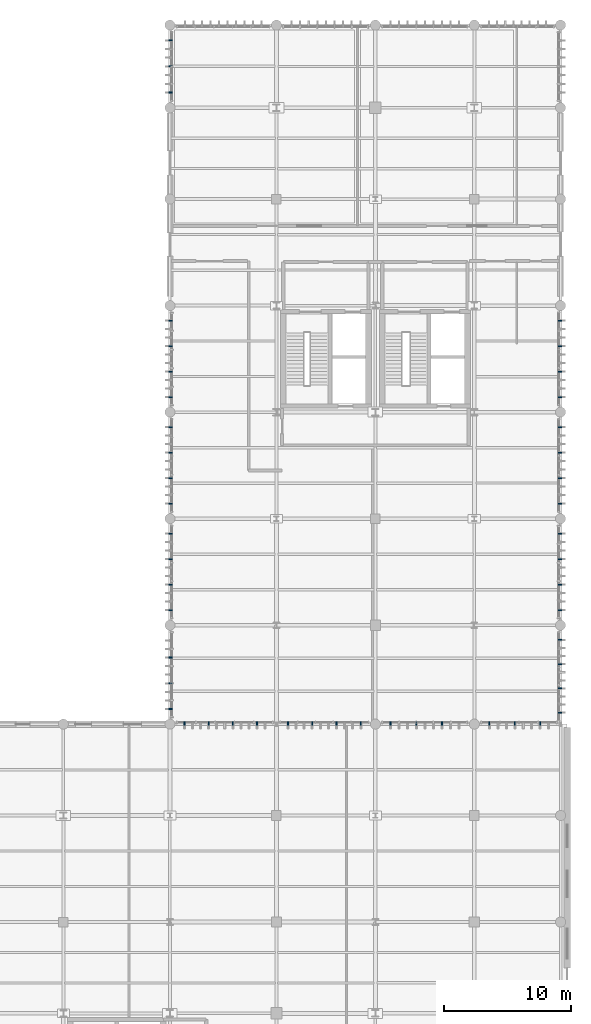
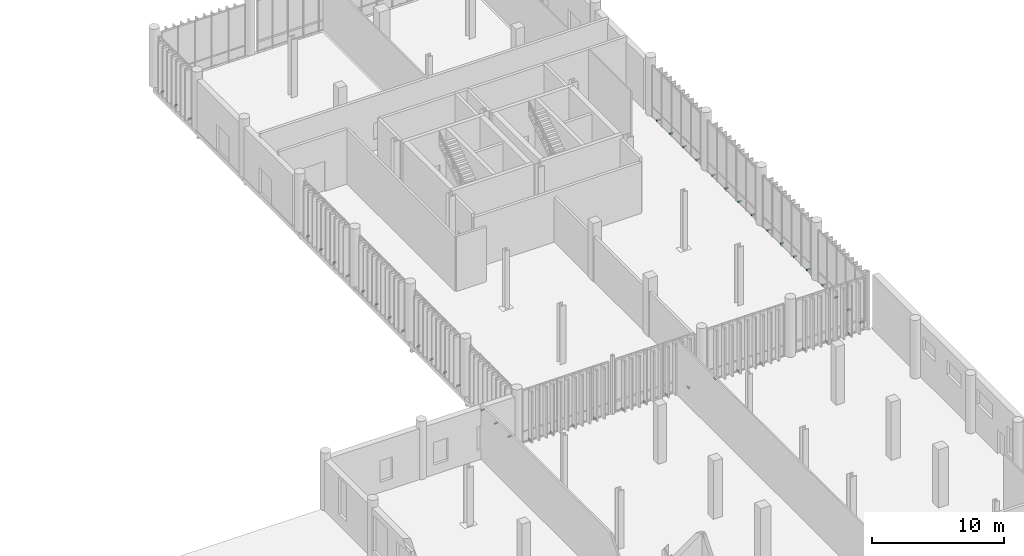
# One storey, part 100 of 112: 48 discrete accessories.
"""IFC4 building model written with IfcOpenShell, lengths in metres."""

from ifc_helpers import new_model, si_unit, direction, frame, origin_with_axes, origin_2d_with_axis, place, context, subcontext, project, spatial, rectangle, extrude, material, type_object, element, save


model = new_model("IFC4")

# Units and contexts
model_context = context("Model", 3, precision=1e-05, world=origin_with_axes(), true_north=direction((0.0, 1.0)))
body_context = subcontext(model_context, "Body", "Model", "MODEL_VIEW")
ifc_project = project(units=[si_unit("LENGTHUNIT", "METRE"), si_unit("AREAUNIT", "SQUARE_METRE"), si_unit("VOLUMEUNIT", "CUBIC_METRE"), si_unit("PLANEANGLEUNIT", "RADIAN"), si_unit("MASSUNIT", "GRAM", prefix="KILO"), si_unit("THERMODYNAMICTEMPERATUREUNIT", "KELVIN")], contexts=[model_context])

# Site, building, storey
site_placement = place(None, origin_with_axes())
site = spatial("IfcSite", under=ifc_project, at=site_placement, CompositionType="ELEMENT")
building_placement = place(site_placement, origin_with_axes())
building = spatial("IfcBuilding", under=site, at=building_placement, Name="Montbau Bow Law Courts", CompositionType="ELEMENT")
storey_placement = place(building_placement, origin_with_axes())
storey = spatial("IfcBuildingStorey", under=building, at=storey_placement, Name="L00", CompositionType="ELEMENT", Elevation=0.0)

# Discrete accessories
ifc_material = material(Name="Stainless Steel AISI 316L Outrigger Louvre Bracket", Category="steel")
discrete_accessory_type = type_object("IfcDiscreteAccessoryType", Name="DA-BRK-01", PredefinedType="BRACKET", material=ifc_material)
for number, where, z_axis, x_axis, name in (
    (1, (139.75, 61.84, 0.0), (0.0, 0.0, 1.0), (0.0, -1.0, 0.0), "BRK-L00-0863:brk_0863"),
    (2, (141.654, 61.84, 0.0), (0.0, 0.0, 1.0), (0.0, -1.0, 0.0), "BRK-L00-0864:brk_0864"),
    (3, (143.558, 61.84, 0.0), (0.0, 0.0, 1.0), (0.0, -1.0, 0.0), "BRK-L00-0865:brk_0865"),
    (4, (145.462, 61.84, 0.0), (0.0, 0.0, 1.0), (0.0, -1.0, 0.0), "BRK-L00-0866:brk_0866"),
    (5, (147.906, 61.84, 0.0), (0.0, 0.0, 1.0), (0.0, -1.0, 0.0), "BRK-L00-0867:brk_0867"),
    (6, (149.82, 61.84, 0.0), (0.0, 0.0, 1.0), (0.0, -1.0, 0.0), "BRK-L00-0868:brk_0868"),
    (7, (151.733, 61.84, 0.0), (0.0, 0.0, 1.0), (0.0, -1.0, 0.0), "BRK-L00-0869:brk_0869"),
    (8, (153.647, 61.84, 0.0), (0.0, 0.0, 1.0), (0.0, -1.0, 0.0), "BRK-L00-0870:brk_0870"),
    (9, (155.992, 61.84, 0.0), (0.0, 0.0, 1.0), (0.0, -1.0, 0.0), "BRK-L00-0871:brk_0871"),
    (10, (158.023, 61.84, 0.0), (0.0, 0.0, 1.0), (0.0, -1.0, 0.0), "BRK-L00-0872:brk_0872"),
    (11, (160.054, 61.84, 0.0), (0.0, 0.0, 1.0), (0.0, -1.0, 0.0), "BRK-L00-0873:brk_0873"),
    (12, (163.784, 61.84, 0.0), (0.0, 0.0, 1.0), (0.0, -1.0, 0.0), "BRK-L00-0874:brk_0874"),
    (13, (165.789, 61.84, 0.0), (0.0, 0.0, 1.0), (0.0, -1.0, 0.0), "BRK-L00-0875:brk_0875"),
    (14, (167.795, 61.84, 0.0), (0.0, 0.0, 1.0), (0.0, -1.0, 0.0), "BRK-L00-0876:brk_0876"),
    (15, (138.64, 62.992, 0.0), (0.0, 0.0, 1.0), (-1.0, 0.0, 0.0), "BRK-L00-0890:brk_0890"),
    (16, (138.64, 65.023, 0.0), (0.0, 0.0, 1.0), (-1.0, 0.0, 0.0), "BRK-L00-0891:brk_0891"),
    (17, (138.64, 67.054, 0.0), (0.0, 0.0, 1.0), (-1.0, 0.0, 0.0), "BRK-L00-0892:brk_0892"),
    (18, (138.64, 70.785, 0.0), (0.0, 0.0, 1.0), (-1.0, 0.0, 0.0), "BRK-L00-0893:brk_0893"),
    (19, (138.64, 72.795, 0.0), (0.0, 0.0, 1.0), (-1.0, 0.0, 0.0), "BRK-L00-0894:brk_0894"),
    (20, (138.64, 74.805, 0.0), (0.0, 0.0, 1.0), (-1.0, 0.0, 0.0), "BRK-L00-0895:brk_0895"),
    (21, (138.64, 76.815, 0.0), (0.0, 0.0, 1.0), (-1.0, 0.0, 0.0), "BRK-L00-0896:brk_0896"),
    (22, (138.64, 79.185, 0.0), (0.0, 0.0, 1.0), (-1.0, 0.0, 0.0), "BRK-L00-0897:brk_0897"),
    (23, (138.64, 81.195, 0.0), (0.0, 0.0, 1.0), (-1.0, 0.0, 0.0), "BRK-L00-0898:brk_0898"),
    (24, (138.64, 83.205, 0.0), (0.0, 0.0, 1.0), (-1.0, 0.0, 0.0), "BRK-L00-0899:brk_0899"),
    (25, (138.64, 85.215, 0.0), (0.0, 0.0, 1.0), (-1.0, 0.0, 0.0), "BRK-L00-0900:brk_0900"),
    (26, (138.64, 87.585, 0.0), (0.0, 0.0, 1.0), (-1.0, 0.0, 0.0), "BRK-L00-0901:brk_0901"),
    (27, (138.64, 89.595, 0.0), (0.0, 0.0, 1.0), (-1.0, 0.0, 0.0), "BRK-L00-0902:brk_0902"),
    (28, (138.64, 91.605, 0.0), (0.0, 0.0, 1.0), (-1.0, 0.0, 0.0), "BRK-L00-0903:brk_0903"),
    (29, (138.64, 93.615, 0.0), (0.0, 0.0, 1.0), (-1.0, 0.0, 0.0), "BRK-L00-0904:brk_0904"),
    (30, (138.64, 111.601, 0.0), (0.0, 0.0, 1.0), (-1.0, 0.0, 0.0), "BRK-L00-0905:brk_0905"),
    (31, (138.64, 113.66, 0.0), (0.0, 0.0, 1.0), (-1.0, 0.0, 0.0), "BRK-L00-0906:brk_0906"),
    (32, (138.64, 115.719, 0.0), (0.0, 0.0, 1.0), (-1.0, 0.0, 0.0), "BRK-L00-0907:brk_0907"),
    (33, (169.36, 62.706, 0.0), (0.0, 0.0, 1.0), (1.0, 0.0, 0.0), "BRK-L00-0908:brk_0908"),
    (34, (169.36, 64.62, 0.0), (0.0, 0.0, 1.0), (1.0, 0.0, 0.0), "BRK-L00-0909:brk_0909"),
    (35, (169.36, 66.533, 0.0), (0.0, 0.0, 1.0), (1.0, 0.0, 0.0), "BRK-L00-0910:brk_0910"),
    (36, (169.36, 68.447, 0.0), (0.0, 0.0, 1.0), (1.0, 0.0, 0.0), "BRK-L00-0911:brk_0911"),
    (37, (169.36, 70.785, 0.0), (0.0, 0.0, 1.0), (1.0, 0.0, 0.0), "BRK-L00-0912:brk_0912"),
    (38, (169.36, 72.795, 0.0), (0.0, 0.0, 1.0), (1.0, 0.0, 0.0), "BRK-L00-0913:brk_0913"),
    (39, (169.36, 74.805, 0.0), (0.0, 0.0, 1.0), (1.0, 0.0, 0.0), "BRK-L00-0914:brk_0914"),
    (40, (169.36, 76.815, 0.0), (0.0, 0.0, 1.0), (1.0, 0.0, 0.0), "BRK-L00-0915:brk_0915"),
    (41, (169.36, 79.185, 0.0), (0.0, 0.0, 1.0), (1.0, 0.0, 0.0), "BRK-L00-0916:brk_0916"),
    (42, (169.36, 81.195, 0.0), (0.0, 0.0, 1.0), (1.0, 0.0, 0.0), "BRK-L00-0917:brk_0917"),
    (43, (169.36, 83.205, 0.0), (0.0, 0.0, 1.0), (1.0, 0.0, 0.0), "BRK-L00-0918:brk_0918"),
    (44, (169.36, 85.215, 0.0), (0.0, 0.0, 1.0), (1.0, 0.0, 0.0), "BRK-L00-0919:brk_0919"),
    (45, (169.36, 87.585, 0.0), (0.0, 0.0, 1.0), (1.0, 0.0, 0.0), "BRK-L00-0920:brk_0920"),
    (46, (169.36, 89.595, 0.0), (0.0, 0.0, 1.0), (1.0, 0.0, 0.0), "BRK-L00-0921:brk_0921"),
    (47, (169.36, 91.605, 0.0), (0.0, 0.0, 1.0), (1.0, 0.0, 0.0), "BRK-L00-0922:brk_0922"),
    (48, (169.36, 93.615, 0.0), (0.0, 0.0, 1.0), (1.0, 0.0, 0.0), "BRK-L00-0923:brk_0923"),
):
    element("IfcDiscreteAccessory", number, at=place(None, frame(where, z_axis=z_axis, x_axis=x_axis)), inside=storey, type_object=discrete_accessory_type, Name=name, PredefinedType="BRACKET", context=body_context, shape_type="SweptSolid", body=[
        extrude(rectangle(XDim=0.28, YDim=0.09, at=origin_2d_with_axis()), origin_with_axes(), (0.0, 0.0, 1.0), 0.12),
    ])

save(model, "model.ifc")
